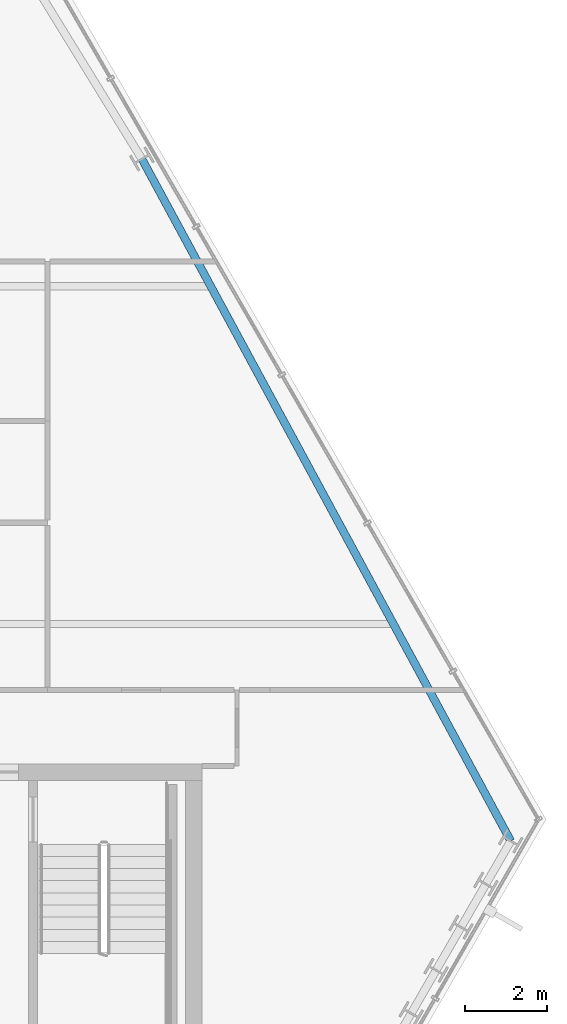
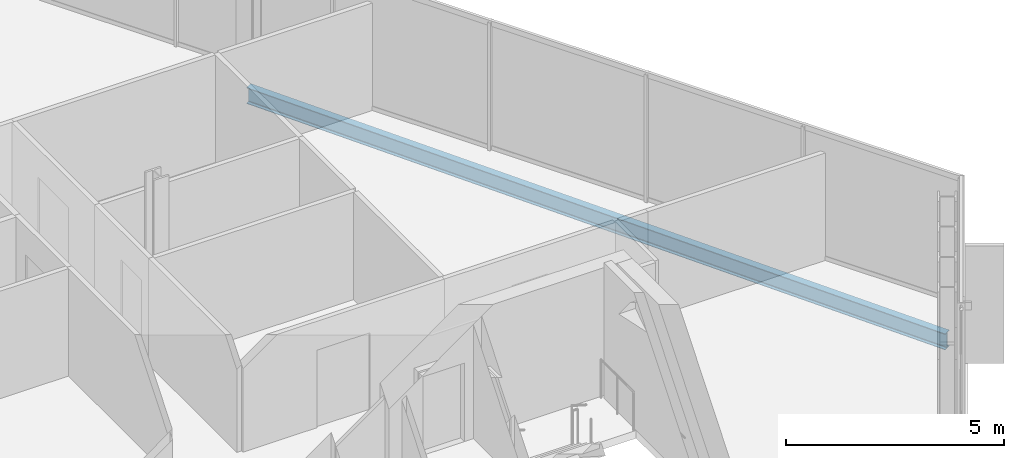
# One storey, part 18 of 35: 1 beam.
"""IFC4 building model written with IfcOpenShell, lengths in metres."""

import ifcopenshell
import ifcopenshell.guid

model = None  # the IFC model being written
_history = None  # IfcOwnerHistory: only IFC2X3 demands one
_inside = {}  # id of a spatial element -> (the spatial element, [elements in it])
_under = {}  # id of a project, library or spatial element -> (it, [spatial elements below it])
_declared = {}  # id of a project -> (the project, [libraries it declares])
_typed = {}  # id of a type object -> (the type object, [elements of that type])
_made_of = {}  # id of a material, layer set ... -> (it, [elements and type objects made of it])


def new_model(schema):
    """Start an empty IFC model of exactly this schema.

    Asked for "IFC4X3", IfcOpenShell would pick the latest addendum, in which some entities
    have other attributes; the version numbers below select the first issue.
    IFC2X3 requires an IfcOwnerHistory on every rooted entity: one is made here for all.
    """
    global model, _history
    if schema == "IFC4X3":
        model = ifcopenshell.file(schema_version=(4, 3, 0, 0))
    else:
        model = ifcopenshell.file(schema=schema)
    _inside.clear()
    _under.clear()
    _declared.clear()
    _typed.clear()
    _made_of.clear()
    _history = None
    if model.schema == "IFC2X3":
        org = make("IfcOrganization", Name="unknown")
        user = make(
            "IfcPersonAndOrganization",
            ThePerson=make("IfcPerson", FamilyName="unknown"),
            TheOrganization=org,
        )
        app = make(
            "IfcApplication",
            ApplicationDeveloper=org,
            Version="unknown",
            ApplicationFullName="unknown",
            ApplicationIdentifier="unknown",
        )
        _history = make(
            "IfcOwnerHistory",
            OwningUser=user,
            OwningApplication=app,
            ChangeAction="ADDED",
            CreationDate=0,
        )
    return model


def make(cls, **values):
    """One entity of the class cls with the attributes given. An attribute that is None is left unset."""
    return model.create_entity(
        cls, **{name: value for name, value in values.items() if value is not None}
    )


def rooted(cls, **values):
    """An entity with a GlobalId (a new one), such as an element, a storey or a relation."""
    return make(cls, GlobalId=ifcopenshell.guid.new(), OwnerHistory=_history, **values)


def si_unit(unit_type, name, prefix=None):
    """IfcSIUnit, for example si_unit("LENGTHUNIT", "METRE", prefix="MILLI")."""
    return make("IfcSIUnit", UnitType=unit_type, Prefix=prefix, Name=name)


def assignment(units):
    """IfcUnitAssignment: the units of a project."""
    return None if units is None else make("IfcUnitAssignment", Units=units)


def point(xyz):
    """IfcCartesianPoint."""
    return None if xyz is None else make("IfcCartesianPoint", Coordinates=xyz)


def direction(xyz):
    """IfcDirection."""
    return None if xyz is None else make("IfcDirection", DirectionRatios=xyz)


def frame(location, z_axis=None, x_axis=None):
    """IfcAxis2Placement3D, a coordinate frame: its origin and axes. An axis left out is left unset."""
    return make(
        "IfcAxis2Placement3D",
        Location=point(location),
        Axis=direction(z_axis),
        RefDirection=direction(x_axis),
    )


def frame_2d(location, x_axis=None):
    """IfcAxis2Placement2D, a coordinate frame in the plane: its origin and x axis."""
    return make(
        "IfcAxis2Placement2D", Location=point(location), RefDirection=direction(x_axis)
    )


def origin():
    """The frame at (0, 0, 0) with its axes left unset."""
    return frame((0.0, 0.0, 0.0))


def origin_2d():
    """The frame at (0, 0) in the plane with its x axis left unset."""
    return frame_2d((0.0, 0.0))


def place(relative_to, where):
    """IfcLocalPlacement: puts the frame where relative to a parent placement (None: the world)."""
    return make(
        "IfcLocalPlacement", PlacementRelTo=relative_to, RelativePlacement=where
    )


def context(
    kind, dimensions, precision=None, world=None, true_north=None, identifier=None
):
    """IfcGeometricRepresentationContext, for example the 3D "Model" context."""
    return make(
        "IfcGeometricRepresentationContext",
        ContextIdentifier=identifier,
        ContextType=kind,
        CoordinateSpaceDimension=dimensions,
        Precision=precision,
        WorldCoordinateSystem=world,
        TrueNorth=true_north,
    )


def subcontext(parent, identifier, kind, view, scale=None):
    """IfcGeometricRepresentationSubContext, for example "Body" below "Model"."""
    return make(
        "IfcGeometricRepresentationSubContext",
        ContextIdentifier=identifier,
        ContextType=kind,
        ParentContext=parent,
        TargetScale=scale,
        TargetView=view,
    )


def project(units=None, contexts=None):
    """IfcProject with its units and contexts."""
    return rooted(
        "IfcProject",
        Name="project",
        RepresentationContexts=contexts,
        UnitsInContext=assignment(units),
    )


def spatial(cls, under=None, at=None, **own):
    """A site, building, storey or space (cls), placed at a placement, below another one or the project."""
    s = rooted(cls, ObjectPlacement=at, **own)
    if under is not None:
        _under.setdefault(under.id(), (under, []))[1].append(s)
    return s


def profile(cls, at=None, kind="AREA", **sizes):
    """A parametric profile (cls). Its sizes go by their IFC names, for example OverallWidth=200.0."""
    return make(cls, ProfileType=kind, Position=at, **sizes)


def i_section(**sizes):
    """IfcIShapeProfileDef."""
    return profile("IfcIShapeProfileDef", **sizes)


def extrude(swept, where, along, depth):
    """IfcExtrudedAreaSolid: the profile swept, set in the frame where, extruded along a direction by depth."""
    return make(
        "IfcExtrudedAreaSolid",
        SweptArea=swept,
        Position=where,
        ExtrudedDirection=direction(along),
        Depth=depth,
    )


def shape(context_of_items, identifier, shape_type, items):
    """IfcShapeRepresentation: the items that make up one representation, for example the "Body"."""
    return make(
        "IfcShapeRepresentation",
        ContextOfItems=context_of_items,
        RepresentationIdentifier=identifier,
        RepresentationType=shape_type,
        Items=items,
    )


def material(Name=None, Category=None):
    """IfcMaterial."""
    return make("IfcMaterial", Name=Name, Category=Category)


def material_profile(
    of_material, cross_section, Name=None, Category=None, Priority=None
):
    """IfcMaterialProfile: a cross section and its material."""
    return make(
        "IfcMaterialProfile",
        Name=Name,
        Material=of_material,
        Profile=cross_section,
        Priority=Priority,
        Category=Category,
    )


def profile_set(profiles, Name=None, composite=None):
    """IfcMaterialProfileSet."""
    return make(
        "IfcMaterialProfileSet",
        Name=Name,
        MaterialProfiles=profiles,
        CompositeProfile=composite,
    )


def made_of(thing, what):
    """Note that an element or type object is made of a material, layer set ...; save() writes the relation."""
    if what is not None:
        _made_of.setdefault(what.id(), (what, []))[1].append(thing)
    return thing


def type_object(cls, material=None, **own):
    """A type object (cls), such as IfcWallType, which elements share."""
    return made_of(rooted(cls, **own), material)


def element(
    cls,
    number,
    at=None,
    inside=None,
    cuts=None,
    type_object=None,
    material=None,
    context=None,
    identifier="Body",
    shape_type=None,
    held_by="IfcProductDefinitionShape",
    body=None,
    shapes=None,
    **own,
):
    """One element of the class cls, such as IfcWall. Its Tag is "e" and its number.

    at: its placement. inside: the storey or other place that contains it. cuts: it is an
    opening in that element (IfcRelVoidsElement). A single representation is given by context,
    identifier, shape_type and body (its items); several are given by shapes. held_by: the class
    of the entity that holds the representations. save() writes the other relations.
    """
    e = rooted(cls, Tag="e%d" % number, ObjectPlacement=at, **own)
    if body is not None:
        shapes = [shape(context, identifier, shape_type, body)]
    if shapes is not None:
        e.Representation = make(held_by, Representations=shapes)
    if inside is not None:
        _inside.setdefault(inside.id(), (inside, []))[1].append(e)
    if cuts is not None:
        rooted(
            "IfcRelVoidsElement", RelatingBuildingElement=cuts, RelatedOpeningElement=e
        )
    if type_object is not None:
        _typed.setdefault(type_object.id(), (type_object, []))[1].append(e)
    return made_of(e, material)


def aggregate(whole, parts):
    """IfcRelAggregates: a whole, such as a stair, and the parts it consists of."""
    return rooted("IfcRelAggregates", RelatingObject=whole, RelatedObjects=parts)


def save(model, path):
    """Write the relations noted so far, then the file.

    IfcRelAggregates (storeys below a building ...), IfcRelContainedInSpatialStructure (elements
    in a storey), IfcRelDefinesByType, IfcRelAssociatesMaterial and IfcRelDeclares: one each for
    every whole, place, type object, material and project.
    """
    for whole, parts in _under.values():
        aggregate(whole, parts)
    for where, things in _inside.values():
        rooted(
            "IfcRelContainedInSpatialStructure",
            RelatedElements=things,
            RelatingStructure=where,
        )
    for kind, things in _typed.values():
        rooted("IfcRelDefinesByType", RelatedObjects=things, RelatingType=kind)
    for what, things in _made_of.values():
        rooted("IfcRelAssociatesMaterial", RelatedObjects=things, RelatingMaterial=what)
    for by, libraries in _declared.values():
        rooted("IfcRelDeclares", RelatingContext=by, RelatedDefinitions=libraries)
    model.write(path)


model = new_model("IFC4")

# Units and contexts
model_context = context("Model", 3, precision=1e-05, world=origin(), true_north=direction((0.0, 1.0)))
body_context = subcontext(model_context, "Body", "Model", "MODEL_VIEW")
ifc_project = project(units=[si_unit("LENGTHUNIT", "METRE"), si_unit("AREAUNIT", "SQUARE_METRE"), si_unit("VOLUMEUNIT", "CUBIC_METRE"), si_unit("PLANEANGLEUNIT", "RADIAN"), si_unit("MASSUNIT", "GRAM", prefix="KILO")], contexts=[model_context])

# Site, building, storey
site_placement = place(None, origin())
site = spatial("IfcSite", under=ifc_project, at=site_placement, CompositionType="ELEMENT")
building_placement = place(site_placement, origin())
building = spatial("IfcBuilding", under=site, at=building_placement, Name="Ndaravel Arena Tower", CompositionType="ELEMENT")
storey_placement = place(building_placement, frame((0.0, 0.0, 176.39990234375)))
storey = spatial("IfcBuildingStorey", under=building, at=storey_placement, Name="L42", CompositionType="ELEMENT", Elevation=176.39990234375)

# Beam
ifc_material = material(Name="Steel S355", Category="steel")
ifc_material_profile = material_profile(ifc_material, i_section(OverallWidth=0.18994140625, OverallDepth=0.449951171875, WebThickness=0.009521484375, FlangeThickness=0.0146484375, FilletRadius=0.02099609375, at=origin_2d()), Name="IPE 450")
ifc_profile_set = profile_set([ifc_material_profile], Name="Steel S355")
beam_type = type_object("IfcBeamType", Name="BM-SPAN-IPE450", PredefinedType="SPANDREL", material=ifc_profile_set)
beam_placement = place(storey_placement, frame((65.050537109375, 13.32958984375, -0.44482421875), z_axis=(-0.475732906859, 0.879589791512, 0.0), x_axis=(-0.879589791512, -0.475732906859, 0.0)))
element("IfcBeam", 1, at=beam_placement, inside=storey, type_object=beam_type, Name="L42 Perimeter Spandrel Beam SP-09", PredefinedType="SPANDREL", context=body_context, shape_type="SweptSolid", body=[
    extrude(i_section(OverallWidth=0.18994140625, OverallDepth=0.449951171875, WebThickness=0.009521484375, FlangeThickness=0.0146484375, FilletRadius=0.02099609375, at=origin_2d()), origin(), (0.0, 0.0, 1.0), 18.827880859375),
])

save(model, "model.ifc")
